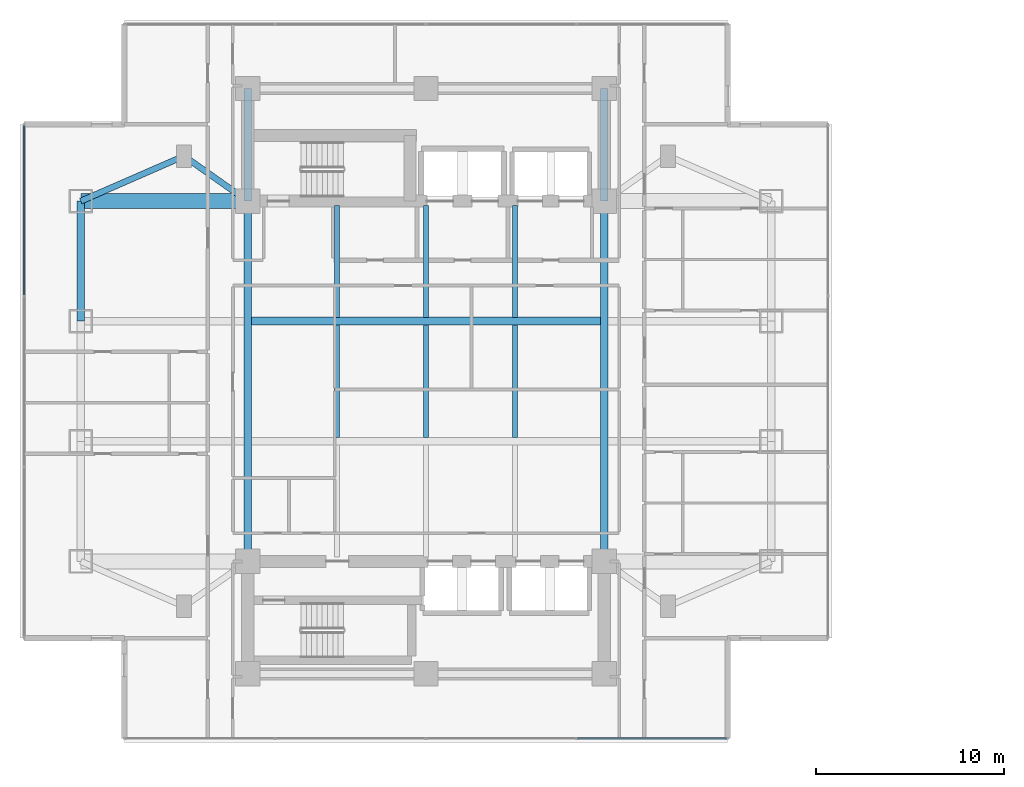
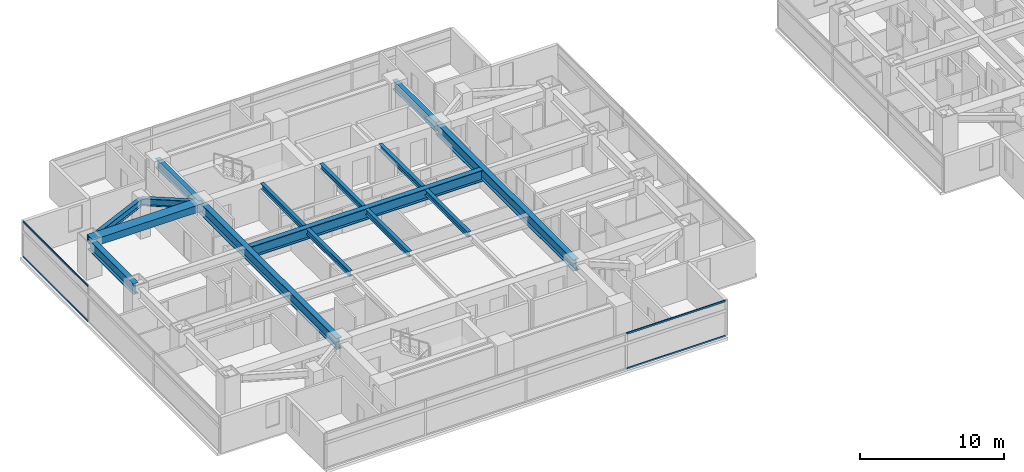
# One storey, part 3 of 24: 15 beams, 4 members, 2 elements without a shape of their own.
"""IFC4 building model written with IfcOpenShell, lengths in metres."""

import ifcopenshell
import ifcopenshell.guid

model = None  # the IFC model being written
_history = None  # IfcOwnerHistory: only IFC2X3 demands one
_inside = {}  # id of a spatial element -> (the spatial element, [elements in it])
_under = {}  # id of a project, library or spatial element -> (it, [spatial elements below it])
_declared = {}  # id of a project -> (the project, [libraries it declares])
_typed = {}  # id of a type object -> (the type object, [elements of that type])
_made_of = {}  # id of a material, layer set ... -> (it, [elements and type objects made of it])


def new_model(schema):
    """Start an empty IFC model of exactly this schema.

    Asked for "IFC4X3", IfcOpenShell would pick the latest addendum, in which some entities
    have other attributes; the version numbers below select the first issue.
    IFC2X3 requires an IfcOwnerHistory on every rooted entity: one is made here for all.
    """
    global model, _history
    if schema == "IFC4X3":
        model = ifcopenshell.file(schema_version=(4, 3, 0, 0))
    else:
        model = ifcopenshell.file(schema=schema)
    _inside.clear()
    _under.clear()
    _declared.clear()
    _typed.clear()
    _made_of.clear()
    _history = None
    if model.schema == "IFC2X3":
        org = make("IfcOrganization", Name="unknown")
        user = make(
            "IfcPersonAndOrganization",
            ThePerson=make("IfcPerson", FamilyName="unknown"),
            TheOrganization=org,
        )
        app = make(
            "IfcApplication",
            ApplicationDeveloper=org,
            Version="unknown",
            ApplicationFullName="unknown",
            ApplicationIdentifier="unknown",
        )
        _history = make(
            "IfcOwnerHistory",
            OwningUser=user,
            OwningApplication=app,
            ChangeAction="ADDED",
            CreationDate=0,
        )
    return model


def make(cls, **values):
    """One entity of the class cls with the attributes given. An attribute that is None is left unset."""
    return model.create_entity(
        cls, **{name: value for name, value in values.items() if value is not None}
    )


def rooted(cls, **values):
    """An entity with a GlobalId (a new one), such as an element, a storey or a relation."""
    return make(cls, GlobalId=ifcopenshell.guid.new(), OwnerHistory=_history, **values)


def si_unit(unit_type, name, prefix=None):
    """IfcSIUnit, for example si_unit("LENGTHUNIT", "METRE", prefix="MILLI")."""
    return make("IfcSIUnit", UnitType=unit_type, Prefix=prefix, Name=name)


def assignment(units):
    """IfcUnitAssignment: the units of a project."""
    return None if units is None else make("IfcUnitAssignment", Units=units)


def point(xyz):
    """IfcCartesianPoint."""
    return None if xyz is None else make("IfcCartesianPoint", Coordinates=xyz)


def direction(xyz):
    """IfcDirection."""
    return None if xyz is None else make("IfcDirection", DirectionRatios=xyz)


def frame(location, z_axis=None, x_axis=None):
    """IfcAxis2Placement3D, a coordinate frame: its origin and axes. An axis left out is left unset."""
    return make(
        "IfcAxis2Placement3D",
        Location=point(location),
        Axis=direction(z_axis),
        RefDirection=direction(x_axis),
    )


def frame_2d(location, x_axis=None):
    """IfcAxis2Placement2D, a coordinate frame in the plane: its origin and x axis."""
    return make(
        "IfcAxis2Placement2D", Location=point(location), RefDirection=direction(x_axis)
    )


def origin():
    """The frame at (0, 0, 0) with its axes left unset."""
    return frame((0.0, 0.0, 0.0))


def origin_2d():
    """The frame at (0, 0) in the plane with its x axis left unset."""
    return frame_2d((0.0, 0.0))


def place(relative_to, where):
    """IfcLocalPlacement: puts the frame where relative to a parent placement (None: the world)."""
    return make(
        "IfcLocalPlacement", PlacementRelTo=relative_to, RelativePlacement=where
    )


def context(
    kind, dimensions, precision=None, world=None, true_north=None, identifier=None
):
    """IfcGeometricRepresentationContext, for example the 3D "Model" context."""
    return make(
        "IfcGeometricRepresentationContext",
        ContextIdentifier=identifier,
        ContextType=kind,
        CoordinateSpaceDimension=dimensions,
        Precision=precision,
        WorldCoordinateSystem=world,
        TrueNorth=true_north,
    )


def subcontext(parent, identifier, kind, view, scale=None):
    """IfcGeometricRepresentationSubContext, for example "Body" below "Model"."""
    return make(
        "IfcGeometricRepresentationSubContext",
        ContextIdentifier=identifier,
        ContextType=kind,
        ParentContext=parent,
        TargetScale=scale,
        TargetView=view,
    )


def project(units=None, contexts=None):
    """IfcProject with its units and contexts."""
    return rooted(
        "IfcProject",
        Name="project",
        RepresentationContexts=contexts,
        UnitsInContext=assignment(units),
    )


def spatial(cls, under=None, at=None, **own):
    """A site, building, storey or space (cls), placed at a placement, below another one or the project."""
    s = rooted(cls, ObjectPlacement=at, **own)
    if under is not None:
        _under.setdefault(under.id(), (under, []))[1].append(s)
    return s


def profile(cls, at=None, kind="AREA", **sizes):
    """A parametric profile (cls). Its sizes go by their IFC names, for example OverallWidth=200.0."""
    return make(cls, ProfileType=kind, Position=at, **sizes)


def rectangle(**sizes):
    """IfcRectangleProfileDef."""
    return profile("IfcRectangleProfileDef", **sizes)


def i_section(**sizes):
    """IfcIShapeProfileDef."""
    return profile("IfcIShapeProfileDef", **sizes)


def extrude(swept, where, along, depth):
    """IfcExtrudedAreaSolid: the profile swept, set in the frame where, extruded along a direction by depth."""
    return make(
        "IfcExtrudedAreaSolid",
        SweptArea=swept,
        Position=where,
        ExtrudedDirection=direction(along),
        Depth=depth,
    )


def shape(context_of_items, identifier, shape_type, items):
    """IfcShapeRepresentation: the items that make up one representation, for example the "Body"."""
    return make(
        "IfcShapeRepresentation",
        ContextOfItems=context_of_items,
        RepresentationIdentifier=identifier,
        RepresentationType=shape_type,
        Items=items,
    )


def material(Name=None, Category=None):
    """IfcMaterial."""
    return make("IfcMaterial", Name=Name, Category=Category)


def material_profile(
    of_material, cross_section, Name=None, Category=None, Priority=None
):
    """IfcMaterialProfile: a cross section and its material."""
    return make(
        "IfcMaterialProfile",
        Name=Name,
        Material=of_material,
        Profile=cross_section,
        Priority=Priority,
        Category=Category,
    )


def profile_set(profiles, Name=None, composite=None):
    """IfcMaterialProfileSet."""
    return make(
        "IfcMaterialProfileSet",
        Name=Name,
        MaterialProfiles=profiles,
        CompositeProfile=composite,
    )


def made_of(thing, what):
    """Note that an element or type object is made of a material, layer set ...; save() writes the relation."""
    if what is not None:
        _made_of.setdefault(what.id(), (what, []))[1].append(thing)
    return thing


def type_object(cls, material=None, **own):
    """A type object (cls), such as IfcWallType, which elements share."""
    return made_of(rooted(cls, **own), material)


def element(
    cls,
    number,
    at=None,
    inside=None,
    cuts=None,
    type_object=None,
    material=None,
    context=None,
    identifier="Body",
    shape_type=None,
    held_by="IfcProductDefinitionShape",
    body=None,
    shapes=None,
    **own,
):
    """One element of the class cls, such as IfcWall. Its Tag is "e" and its number.

    at: its placement. inside: the storey or other place that contains it. cuts: it is an
    opening in that element (IfcRelVoidsElement). A single representation is given by context,
    identifier, shape_type and body (its items); several are given by shapes. held_by: the class
    of the entity that holds the representations. save() writes the other relations.
    """
    e = rooted(cls, Tag="e%d" % number, ObjectPlacement=at, **own)
    if body is not None:
        shapes = [shape(context, identifier, shape_type, body)]
    if shapes is not None:
        e.Representation = make(held_by, Representations=shapes)
    if inside is not None:
        _inside.setdefault(inside.id(), (inside, []))[1].append(e)
    if cuts is not None:
        rooted(
            "IfcRelVoidsElement", RelatingBuildingElement=cuts, RelatedOpeningElement=e
        )
    if type_object is not None:
        _typed.setdefault(type_object.id(), (type_object, []))[1].append(e)
    return made_of(e, material)


def aggregate(whole, parts):
    """IfcRelAggregates: a whole, such as a stair, and the parts it consists of."""
    return rooted("IfcRelAggregates", RelatingObject=whole, RelatedObjects=parts)


def save(model, path):
    """Write the relations noted so far, then the file.

    IfcRelAggregates (storeys below a building ...), IfcRelContainedInSpatialStructure (elements
    in a storey), IfcRelDefinesByType, IfcRelAssociatesMaterial and IfcRelDeclares: one each for
    every whole, place, type object, material and project.
    """
    for whole, parts in _under.values():
        aggregate(whole, parts)
    for where, things in _inside.values():
        rooted(
            "IfcRelContainedInSpatialStructure",
            RelatedElements=things,
            RelatingStructure=where,
        )
    for kind, things in _typed.values():
        rooted("IfcRelDefinesByType", RelatedObjects=things, RelatingType=kind)
    for what, things in _made_of.values():
        rooted("IfcRelAssociatesMaterial", RelatedObjects=things, RelatingMaterial=what)
    for by, libraries in _declared.values():
        rooted("IfcRelDeclares", RelatingContext=by, RelatedDefinitions=libraries)
    model.write(path)


model = new_model("IFC4")

# Units and contexts
model_context = context("Model", 3, precision=1e-05, world=origin(), true_north=direction((0.0, 1.0)))
body_context = subcontext(model_context, "Body", "Model", "MODEL_VIEW")
ifc_project = project(units=[si_unit("LENGTHUNIT", "METRE"), si_unit("AREAUNIT", "SQUARE_METRE"), si_unit("VOLUMEUNIT", "CUBIC_METRE"), si_unit("PLANEANGLEUNIT", "RADIAN"), si_unit("MASSUNIT", "GRAM", prefix="KILO")], contexts=[model_context])

# Site, building, storey
site_placement = place(None, origin())
site = spatial("IfcSite", under=ifc_project, at=site_placement, CompositionType="ELEMENT")
building_placement = place(site_placement, origin())
building = spatial("IfcBuilding", under=site, at=building_placement, Name="Mirazonda Arch Towers", CompositionType="ELEMENT")
storey_placement = place(building_placement, frame((0.0, 0.0, 62.0)))
storey = spatial("IfcBuildingStorey", under=building, at=storey_placement, Name="L17", CompositionType="ELEMENT", Elevation=62.0)

# Beams
ifc_material_1 = material(Name="Steel ASTM A992 Grade 50", Category="steel")
ifc_material_profile_1 = material_profile(ifc_material_1, i_section(OverallWidth=0.41796875, OverallDepth=0.927001953125, WebThickness=0.019287109375, FlangeThickness=0.031982421875, at=origin_2d()), Name="W36X231")
ifc_profile_set_1 = profile_set([ifc_material_profile_1], Name="Steel ASTM A992 Grade 50")
beam_type_1 = type_object("IfcBeamType", Name="BM-EXT-W36X231", PredefinedType="USERDEFINED", material=ifc_profile_set_1)
beam_1_placement = place(storey_placement, frame((2.10009765625, 31.199951171875, 2.596435546875), z_axis=(0.0, 1.0, 0.0), x_axis=(-1.0, 0.0, 0.0)))
element("IfcBeam", 1, at=beam_1_placement, inside=storey, type_object=beam_type_1, Name="L17 Floor Beam BM-T1-L17-NS-W-31", ObjectType="GIRDER", PredefinedType="USERDEFINED", context=body_context, shape_type="SweptSolid", body=[
    extrude(i_section(OverallWidth=0.41796875, OverallDepth=0.927001953125, WebThickness=0.019287109375, FlangeThickness=0.031982421875, at=origin_2d()), origin(), (0.0, 0.0, 1.0), 6.400146484375),
])
ifc_material_profile_2 = material_profile(ifc_material_1, i_section(OverallWidth=0.280029296875, OverallDepth=0.462890625, WebThickness=0.0107421875, FlangeThickness=0.017333984375, at=origin_2d()), Name="W18X76")
ifc_profile_set_2 = profile_set([ifc_material_profile_2], Name="Steel ASTM A992 Grade 50")
beam_type_2 = type_object("IfcBeamType", Name="BM-INT-W18X76", PredefinedType="JOIST", material=ifc_profile_set_2)
beam_2_placement = place(storey_placement, frame((15.75, 31.407470703125, 2.82861328125), z_axis=(0.0, 1.0, 0.0), x_axis=(-1.0, 0.0, 0.0)))
element("IfcBeam", 2, at=beam_2_placement, inside=storey, type_object=beam_type_2, Name="L17 Floor Beam BM-T1-L17-J-157-31", PredefinedType="JOIST", context=body_context, shape_type="SweptSolid", body=[
    extrude(i_section(OverallWidth=0.280029296875, OverallDepth=0.462890625, WebThickness=0.0107421875, FlangeThickness=0.017333984375, at=origin_2d()), origin(), (0.0, 0.0, 1.0), 5.95263671875),
])
beam_3_placement = place(storey_placement, frame((15.75, 25.007568359375, 2.82861328125), z_axis=(0.0, 1.0, 0.0), x_axis=(-1.0, 0.0, 0.0)))
element("IfcBeam", 3, at=beam_3_placement, inside=storey, type_object=beam_type_2, Name="L17 Floor Beam BM-T1-L17-J-157-24", PredefinedType="JOIST", context=body_context, shape_type="SweptSolid", body=[
    extrude(i_section(OverallWidth=0.280029296875, OverallDepth=0.462890625, WebThickness=0.0107421875, FlangeThickness=0.017333984375, at=origin_2d()), origin(), (0.0, 0.0, 1.0), 5.98486328125),
])
beam_4_placement = place(storey_placement, frame((20.5, 31.407470703125, 2.82861328125), z_axis=(0.0, 1.0, 0.0), x_axis=(-1.0, 0.0, 0.0)))
element("IfcBeam", 4, at=beam_4_placement, inside=storey, type_object=beam_type_2, Name="L17 Floor Beam BM-T1-L17-J-205-31", PredefinedType="JOIST", context=body_context, shape_type="SweptSolid", body=[
    extrude(i_section(OverallWidth=0.280029296875, OverallDepth=0.462890625, WebThickness=0.0107421875, FlangeThickness=0.017333984375, at=origin_2d()), origin(), (0.0, 0.0, 1.0), 5.95263671875),
])
beam_5_placement = place(storey_placement, frame((20.5, 25.007568359375, 2.82861328125), z_axis=(0.0, 1.0, 0.0), x_axis=(-1.0, 0.0, 0.0)))
element("IfcBeam", 5, at=beam_5_placement, inside=storey, type_object=beam_type_2, Name="L17 Floor Beam BM-T1-L17-J-205-24", PredefinedType="JOIST", context=body_context, shape_type="SweptSolid", body=[
    extrude(i_section(OverallWidth=0.280029296875, OverallDepth=0.462890625, WebThickness=0.0107421875, FlangeThickness=0.017333984375, at=origin_2d()), origin(), (0.0, 0.0, 1.0), 5.98486328125),
])
beam_6_placement = place(storey_placement, frame((25.25, 31.407470703125, 2.82861328125), z_axis=(0.0, 1.0, 0.0), x_axis=(-1.0, 0.0, 0.0)))
element("IfcBeam", 6, at=beam_6_placement, inside=storey, type_object=beam_type_2, Name="L17 Floor Beam BM-T1-L17-J-252-31", PredefinedType="JOIST", context=body_context, shape_type="SweptSolid", body=[
    extrude(i_section(OverallWidth=0.280029296875, OverallDepth=0.462890625, WebThickness=0.0107421875, FlangeThickness=0.017333984375, at=origin_2d()), origin(), (0.0, 0.0, 1.0), 5.95263671875),
])
beam_7_placement = place(storey_placement, frame((25.25, 25.007568359375, 2.82861328125), z_axis=(0.0, 1.0, 0.0), x_axis=(-1.0, 0.0, 0.0)))
element("IfcBeam", 7, at=beam_7_placement, inside=storey, type_object=beam_type_2, Name="L17 Floor Beam BM-T1-L17-J-252-24", PredefinedType="JOIST", context=body_context, shape_type="SweptSolid", body=[
    extrude(i_section(OverallWidth=0.280029296875, OverallDepth=0.462890625, WebThickness=0.0107421875, FlangeThickness=0.017333984375, at=origin_2d()), origin(), (0.0, 0.0, 1.0), 5.98486328125),
])
ifc_material_profile_3 = material_profile(ifc_material_1, i_section(OverallWidth=0.324951171875, OverallDepth=0.615966796875, WebThickness=0.013916015625, FlangeThickness=0.021484375, at=origin_2d()), Name="W24X117")
ifc_profile_set_3 = profile_set([ifc_material_profile_3], Name="Steel ASTM A992 Grade 50")
beam_type_3 = type_object("IfcBeamType", Name="BM-INT-W24X117", PredefinedType="BEAM", material=ifc_profile_set_3)
beam_8_placement = place(storey_placement, frame((7.60009765625, 40.0, 2.751953125), z_axis=(0.816971114901, -0.576678591087, 0.0), x_axis=(0.576678591087, 0.816971114901, 0.0)))
element("IfcBeam", 8, at=beam_8_placement, inside=storey, type_object=beam_type_3, Name="L17 Floor Beam BM-T1-L17-PL-NW1", PredefinedType="BEAM", context=body_context, shape_type="SweptSolid", body=[
    extrude(i_section(OverallWidth=0.324951171875, OverallDepth=0.615966796875, WebThickness=0.013916015625, FlangeThickness=0.021484375, at=origin_2d()), origin(), (0.0, 0.0, 1.0), 4.16162109375),
])
beam_9_placement = place(storey_placement, frame((7.60009765625, 40.0, 2.751953125), z_axis=(-0.916545343703, -0.399930785183, 0.0), x_axis=(0.399930785183, -0.916545343703, 0.0)))
element("IfcBeam", 9, at=beam_9_placement, inside=storey, type_object=beam_type_3, Name="L17 Floor Beam BM-T1-L17-PL-NW2", PredefinedType="BEAM", context=body_context, shape_type="SweptSolid", body=[
    extrude(i_section(OverallWidth=0.324951171875, OverallDepth=0.615966796875, WebThickness=0.013916015625, FlangeThickness=0.021484375, at=origin_2d()), origin(), (0.0, 0.0, 1.0), 6.000732421875),
])
ifc_material_profile_4 = material_profile(ifc_material_1, i_section(OverallWidth=0.381103515625, OverallDepth=0.77294921875, WebThickness=0.0166015625, FlangeThickness=0.027099609375, at=origin_2d()), Name="W30X173")
ifc_profile_set_4 = profile_set([ifc_material_profile_4], Name="Steel ASTM A992 Grade 50")
beam_type_4 = type_object("IfcBeamType", Name="BM-INT-W30X173", PredefinedType="USERDEFINED", material=ifc_profile_set_4)
for number, where, z_axis, x_axis, name in (
    (10, (11.0, 37.60009765625, 2.673583984375), (0.0, 1.0, 0.0), (-1.0, 0.0, 0.0), "L17 Floor Beam BM-T1-L17-CNW"),
    (11, (30.0, 37.60009765625, 2.673583984375), (0.0, 1.0, 0.0), (-1.0, 0.0, 0.0), "L17 Floor Beam BM-T1-L17-CNE"),
):
    element("IfcBeam", number, at=place(storey_placement, frame(where, z_axis=z_axis, x_axis=x_axis)), inside=storey, type_object=beam_type_4, Name=name, ObjectType="GIRDER", PredefinedType="USERDEFINED", context=body_context, shape_type="SweptSolid", body=[
        extrude(i_section(OverallWidth=0.381103515625, OverallDepth=0.77294921875, WebThickness=0.0166015625, FlangeThickness=0.027099609375, at=origin_2d()), origin(), (0.0, 0.0, 1.0), 6.0),
    ])
ifc_material_profile_5 = material_profile(ifc_material_1, i_section(OverallWidth=0.423095703125, OverallDepth=0.947998046875, WebThickness=0.02392578125, FlangeThickness=0.042724609375, at=origin_2d()), Name="W36X302")
ifc_profile_set_5 = profile_set([ifc_material_profile_5], Name="Steel ASTM A992 Grade 50")
beam_type_5 = type_object("IfcBeamType", Name="BM-INT-W36X302", PredefinedType="USERDEFINED", material=ifc_profile_set_5)
beam_10_placement = place(storey_placement, frame((11.21142578125, 31.199951171875, 2.5859375), z_axis=(1.0, 0.0, 0.0), x_axis=(0.0, 1.0, 0.0)))
element("IfcBeam", 12, at=beam_10_placement, inside=storey, type_object=beam_type_5, Name="L17 Floor Beam BM-T1-L17-GC3", ObjectType="GIRDER", PredefinedType="USERDEFINED", context=body_context, shape_type="SweptSolid", body=[
    extrude(i_section(OverallWidth=0.423095703125, OverallDepth=0.947998046875, WebThickness=0.02392578125, FlangeThickness=0.042724609375, at=origin_2d()), origin(), (0.0, 0.0, 1.0), 18.5771484375),
])
for number, where, z_axis, x_axis, name in (
    (13, (11.0, 18.39990234375, 2.5859375), (0.0, 1.0, 0.0), (-1.0, 0.0, 0.0), "L17 Floor Beam BM-T1-L17-NS-CW-FULL"),
    (14, (30.0, 18.39990234375, 2.5859375), (0.0, 1.0, 0.0), (-1.0, 0.0, 0.0), "L17 Floor Beam BM-T1-L17-NS-CE-FULL"),
):
    element("IfcBeam", number, at=place(storey_placement, frame(where, z_axis=z_axis, x_axis=x_axis)), inside=storey, type_object=beam_type_5, Name=name, ObjectType="GIRDER", PredefinedType="USERDEFINED", context=body_context, shape_type="SweptSolid", body=[
        extrude(i_section(OverallWidth=0.423095703125, OverallDepth=0.947998046875, WebThickness=0.02392578125, FlangeThickness=0.042724609375, at=origin_2d()), origin(), (0.0, 0.0, 1.0), 19.2001953125),
    ])
ifc_material_2 = material(Name="Concrete C60/75", Category="concrete")
ifc_material_profile_6 = material_profile(ifc_material_2, rectangle(XDim=0.800048828125, YDim=0.60009765625, at=origin_2d()), Name="RCCB800x600")
ifc_profile_set_6 = profile_set([ifc_material_profile_6], Name="Concrete C60/75")
beam_type_6 = type_object("IfcBeamType", Name="CB-INT-RCCB800x600", PredefinedType="SPANDREL", material=ifc_profile_set_6)
beam_11_placement = place(storey_placement, frame((2.10009765625, 37.60009765625, 2.760009765625), z_axis=(1.0, 0.0, 0.0), x_axis=(0.0, 1.0, 0.0)))
element("IfcBeam", 15, at=beam_11_placement, inside=storey, type_object=beam_type_6, Name="L17 Floor Beam CBC-T1-L17-NW", PredefinedType="SPANDREL", context=body_context, shape_type="SweptSolid", body=[
    extrude(rectangle(XDim=0.800048828125, YDim=0.60009765625, at=origin_2d()), origin(), (0.0, 0.0, 1.0), 8.89990234375),
])

# Curtain wall, members
ifc_material_3 = material(Name="Anodised Aluminium and Low-E Glass", Category="aluminium")
curtain_wall_type = type_object("IfcCurtainWallType", Name="CW-HTL-UNIT", PredefinedType="NOTDEFINED", material=ifc_material_3)
curtain_wall_1_placement = place(storey_placement, origin())
curtain_wall_1 = element("IfcCurtainWall", 16, at=curtain_wall_1_placement, inside=storey, type_object=curtain_wall_type, Name="L17 T1 S Facade CW-L17-T1-S", PredefinedType="NOTDEFINED")
ifc_material_4 = material(Name="Anodised Aluminium Alloy", Category="aluminium")
ifc_material_profile_7 = material_profile(ifc_material_4, rectangle(XDim=0.074951171875, YDim=0.14501953125, at=origin_2d()), Name="ALU-TRAN-75x145")
ifc_profile_set_7 = profile_set([ifc_material_profile_7], Name="Anodised Aluminium Alloy")
member_type = type_object("IfcMemberType", Name="TRAN-CW-HTL-UNIT", PredefinedType="USERDEFINED", material=ifc_profile_set_7)
member_1_placement = place(storey_placement, frame((36.5048828125, 8.966064453125, 0.03759765625), z_axis=(-1.0, 0.0, 0.0), x_axis=(0.0, -1.0, 0.0)))
member_1 = element("IfcMember", 17, at=member_1_placement, type_object=member_type, Name="CW-112 transom 1.1", ObjectType="TRANSOM", PredefinedType="USERDEFINED", context=body_context, shape_type="SweptSolid", body=[
    extrude(rectangle(XDim=0.074951171875, YDim=0.14501953125, at=origin_2d()), origin(), (0.0, 0.0, 1.0), 7.927490234375),
])
member_2_placement = place(storey_placement, frame((36.5048828125, 8.966064453125, 3.00244140625), z_axis=(-1.0, 0.0, 0.0), x_axis=(0.0, -1.0, 0.0)))
member_2 = element("IfcMember", 18, at=member_2_placement, type_object=member_type, Name="CW-112 transom 1.2", ObjectType="TRANSOM", PredefinedType="USERDEFINED", context=body_context, shape_type="SweptSolid", body=[
    extrude(rectangle(XDim=0.074951171875, YDim=0.14501953125, at=origin_2d()), origin(), (0.0, 0.0, 1.0), 7.927490234375),
])
aggregate(curtain_wall_1, [member_1, member_2])

curtain_wall_2_placement = place(storey_placement, origin())
curtain_wall_2 = element("IfcCurtainWall", 19, at=curtain_wall_2_placement, inside=storey, type_object=curtain_wall_type, Name="L17 T1 W Facade CW-L17-T1-W", PredefinedType="NOTDEFINED")
member_3_placement = place(storey_placement, frame((-0.919921875, 41.618896484375, 0.03759765625), z_axis=(0.0, -1.0, 0.0), x_axis=(1.0, 0.0, 0.0)))
member_3 = element("IfcMember", 20, at=member_3_placement, type_object=member_type, Name="CW-112 transom 1.1", ObjectType="TRANSOM", PredefinedType="USERDEFINED", context=body_context, shape_type="SweptSolid", body=[
    extrude(rectangle(XDim=0.074951171875, YDim=0.14501953125, at=origin_2d()), origin(), (0.0, 0.0, 1.0), 9.016845703125),
])
member_4_placement = place(storey_placement, frame((-0.919921875, 41.618896484375, 3.00244140625), z_axis=(0.0, -1.0, 0.0), x_axis=(1.0, 0.0, 0.0)))
member_4 = element("IfcMember", 21, at=member_4_placement, type_object=member_type, Name="CW-112 transom 1.2", ObjectType="TRANSOM", PredefinedType="USERDEFINED", context=body_context, shape_type="SweptSolid", body=[
    extrude(rectangle(XDim=0.074951171875, YDim=0.14501953125, at=origin_2d()), origin(), (0.0, 0.0, 1.0), 9.016845703125),
])
aggregate(curtain_wall_2, [member_3, member_4])

save(model, "model.ifc")
